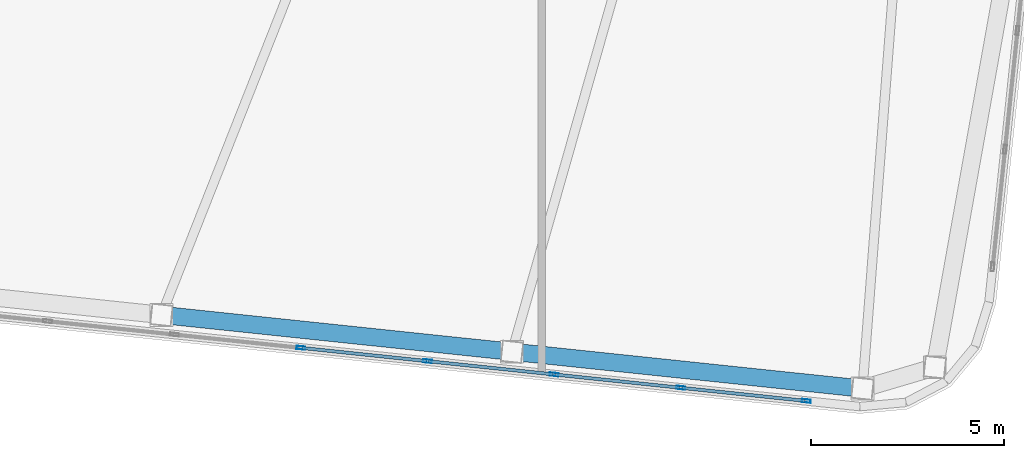
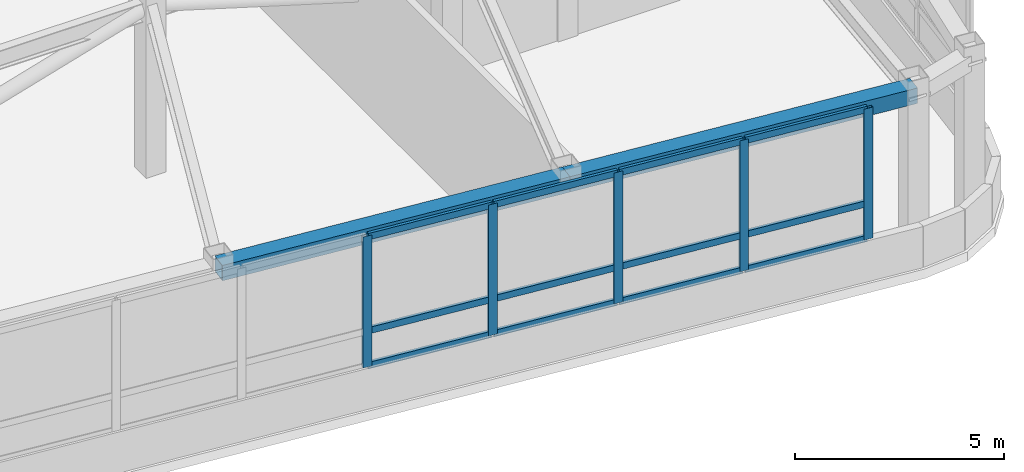
# One storey, part 9 of 23: 17 members, 2 beams, 1 element without a shape of its own.
"""IFC4 building model written with IfcOpenShell, lengths in metres."""

import ifcopenshell
import ifcopenshell.guid

model = None  # the IFC model being written
_history = None  # IfcOwnerHistory: only IFC2X3 demands one
_inside = {}  # id of a spatial element -> (the spatial element, [elements in it])
_under = {}  # id of a project, library or spatial element -> (it, [spatial elements below it])
_declared = {}  # id of a project -> (the project, [libraries it declares])
_typed = {}  # id of a type object -> (the type object, [elements of that type])
_made_of = {}  # id of a material, layer set ... -> (it, [elements and type objects made of it])


def new_model(schema):
    """Start an empty IFC model of exactly this schema.

    Asked for "IFC4X3", IfcOpenShell would pick the latest addendum, in which some entities
    have other attributes; the version numbers below select the first issue.
    IFC2X3 requires an IfcOwnerHistory on every rooted entity: one is made here for all.
    """
    global model, _history
    if schema == "IFC4X3":
        model = ifcopenshell.file(schema_version=(4, 3, 0, 0))
    else:
        model = ifcopenshell.file(schema=schema)
    _inside.clear()
    _under.clear()
    _declared.clear()
    _typed.clear()
    _made_of.clear()
    _history = None
    if model.schema == "IFC2X3":
        org = make("IfcOrganization", Name="unknown")
        user = make(
            "IfcPersonAndOrganization",
            ThePerson=make("IfcPerson", FamilyName="unknown"),
            TheOrganization=org,
        )
        app = make(
            "IfcApplication",
            ApplicationDeveloper=org,
            Version="unknown",
            ApplicationFullName="unknown",
            ApplicationIdentifier="unknown",
        )
        _history = make(
            "IfcOwnerHistory",
            OwningUser=user,
            OwningApplication=app,
            ChangeAction="ADDED",
            CreationDate=0,
        )
    return model


def make(cls, **values):
    """One entity of the class cls with the attributes given. An attribute that is None is left unset."""
    return model.create_entity(
        cls, **{name: value for name, value in values.items() if value is not None}
    )


def rooted(cls, **values):
    """An entity with a GlobalId (a new one), such as an element, a storey or a relation."""
    return make(cls, GlobalId=ifcopenshell.guid.new(), OwnerHistory=_history, **values)


def si_unit(unit_type, name, prefix=None):
    """IfcSIUnit, for example si_unit("LENGTHUNIT", "METRE", prefix="MILLI")."""
    return make("IfcSIUnit", UnitType=unit_type, Prefix=prefix, Name=name)


def assignment(units):
    """IfcUnitAssignment: the units of a project."""
    return None if units is None else make("IfcUnitAssignment", Units=units)


def point(xyz):
    """IfcCartesianPoint."""
    return None if xyz is None else make("IfcCartesianPoint", Coordinates=xyz)


def direction(xyz):
    """IfcDirection."""
    return None if xyz is None else make("IfcDirection", DirectionRatios=xyz)


def frame(location, z_axis=None, x_axis=None):
    """IfcAxis2Placement3D, a coordinate frame: its origin and axes. An axis left out is left unset."""
    return make(
        "IfcAxis2Placement3D",
        Location=point(location),
        Axis=direction(z_axis),
        RefDirection=direction(x_axis),
    )


def frame_2d(location, x_axis=None):
    """IfcAxis2Placement2D, a coordinate frame in the plane: its origin and x axis."""
    return make(
        "IfcAxis2Placement2D", Location=point(location), RefDirection=direction(x_axis)
    )


def origin():
    """The frame at (0, 0, 0) with its axes left unset."""
    return frame((0.0, 0.0, 0.0))


def origin_2d():
    """The frame at (0, 0) in the plane with its x axis left unset."""
    return frame_2d((0.0, 0.0))


def place(relative_to, where):
    """IfcLocalPlacement: puts the frame where relative to a parent placement (None: the world)."""
    return make(
        "IfcLocalPlacement", PlacementRelTo=relative_to, RelativePlacement=where
    )


def context(
    kind, dimensions, precision=None, world=None, true_north=None, identifier=None
):
    """IfcGeometricRepresentationContext, for example the 3D "Model" context."""
    return make(
        "IfcGeometricRepresentationContext",
        ContextIdentifier=identifier,
        ContextType=kind,
        CoordinateSpaceDimension=dimensions,
        Precision=precision,
        WorldCoordinateSystem=world,
        TrueNorth=true_north,
    )


def subcontext(parent, identifier, kind, view, scale=None):
    """IfcGeometricRepresentationSubContext, for example "Body" below "Model"."""
    return make(
        "IfcGeometricRepresentationSubContext",
        ContextIdentifier=identifier,
        ContextType=kind,
        ParentContext=parent,
        TargetScale=scale,
        TargetView=view,
    )


def project(units=None, contexts=None):
    """IfcProject with its units and contexts."""
    return rooted(
        "IfcProject",
        Name="project",
        RepresentationContexts=contexts,
        UnitsInContext=assignment(units),
    )


def spatial(cls, under=None, at=None, **own):
    """A site, building, storey or space (cls), placed at a placement, below another one or the project."""
    s = rooted(cls, ObjectPlacement=at, **own)
    if under is not None:
        _under.setdefault(under.id(), (under, []))[1].append(s)
    return s


def profile(cls, at=None, kind="AREA", **sizes):
    """A parametric profile (cls). Its sizes go by their IFC names, for example OverallWidth=200.0."""
    return make(cls, ProfileType=kind, Position=at, **sizes)


def hollow_rectangle(**sizes):
    """IfcRectangleHollowProfileDef."""
    return profile("IfcRectangleHollowProfileDef", **sizes)


def extrude(swept, where, along, depth):
    """IfcExtrudedAreaSolid: the profile swept, set in the frame where, extruded along a direction by depth."""
    return make(
        "IfcExtrudedAreaSolid",
        SweptArea=swept,
        Position=where,
        ExtrudedDirection=direction(along),
        Depth=depth,
    )


def shape(context_of_items, identifier, shape_type, items):
    """IfcShapeRepresentation: the items that make up one representation, for example the "Body"."""
    return make(
        "IfcShapeRepresentation",
        ContextOfItems=context_of_items,
        RepresentationIdentifier=identifier,
        RepresentationType=shape_type,
        Items=items,
    )


def material(Name=None, Category=None):
    """IfcMaterial."""
    return make("IfcMaterial", Name=Name, Category=Category)


def layer(
    of_material, thickness, ventilated=None, Name=None, Category=None, Priority=None
):
    """IfcMaterialLayer: one layer of a wall or slab, of a material (None: an air gap)."""
    return make(
        "IfcMaterialLayer",
        Material=of_material,
        LayerThickness=thickness,
        IsVentilated=ventilated,
        Name=Name,
        Category=Category,
        Priority=Priority,
    )


def layer_set(layers, Name=None):
    """IfcMaterialLayerSet."""
    return make("IfcMaterialLayerSet", MaterialLayers=layers, LayerSetName=Name)


def material_profile(
    of_material, cross_section, Name=None, Category=None, Priority=None
):
    """IfcMaterialProfile: a cross section and its material."""
    return make(
        "IfcMaterialProfile",
        Name=Name,
        Material=of_material,
        Profile=cross_section,
        Priority=Priority,
        Category=Category,
    )


def profile_set(profiles, Name=None, composite=None):
    """IfcMaterialProfileSet."""
    return make(
        "IfcMaterialProfileSet",
        Name=Name,
        MaterialProfiles=profiles,
        CompositeProfile=composite,
    )


def made_of(thing, what):
    """Note that an element or type object is made of a material, layer set ...; save() writes the relation."""
    if what is not None:
        _made_of.setdefault(what.id(), (what, []))[1].append(thing)
    return thing


def type_object(cls, material=None, **own):
    """A type object (cls), such as IfcWallType, which elements share."""
    return made_of(rooted(cls, **own), material)


def element(
    cls,
    number,
    at=None,
    inside=None,
    cuts=None,
    type_object=None,
    material=None,
    context=None,
    identifier="Body",
    shape_type=None,
    held_by="IfcProductDefinitionShape",
    body=None,
    shapes=None,
    **own,
):
    """One element of the class cls, such as IfcWall. Its Tag is "e" and its number.

    at: its placement. inside: the storey or other place that contains it. cuts: it is an
    opening in that element (IfcRelVoidsElement). A single representation is given by context,
    identifier, shape_type and body (its items); several are given by shapes. held_by: the class
    of the entity that holds the representations. save() writes the other relations.
    """
    e = rooted(cls, Tag="e%d" % number, ObjectPlacement=at, **own)
    if body is not None:
        shapes = [shape(context, identifier, shape_type, body)]
    if shapes is not None:
        e.Representation = make(held_by, Representations=shapes)
    if inside is not None:
        _inside.setdefault(inside.id(), (inside, []))[1].append(e)
    if cuts is not None:
        rooted(
            "IfcRelVoidsElement", RelatingBuildingElement=cuts, RelatedOpeningElement=e
        )
    if type_object is not None:
        _typed.setdefault(type_object.id(), (type_object, []))[1].append(e)
    return made_of(e, material)


def aggregate(whole, parts):
    """IfcRelAggregates: a whole, such as a stair, and the parts it consists of."""
    return rooted("IfcRelAggregates", RelatingObject=whole, RelatedObjects=parts)


def save(model, path):
    """Write the relations noted so far, then the file.

    IfcRelAggregates (storeys below a building ...), IfcRelContainedInSpatialStructure (elements
    in a storey), IfcRelDefinesByType, IfcRelAssociatesMaterial and IfcRelDeclares: one each for
    every whole, place, type object, material and project.
    """
    for whole, parts in _under.values():
        aggregate(whole, parts)
    for where, things in _inside.values():
        rooted(
            "IfcRelContainedInSpatialStructure",
            RelatedElements=things,
            RelatingStructure=where,
        )
    for kind, things in _typed.values():
        rooted("IfcRelDefinesByType", RelatedObjects=things, RelatingType=kind)
    for what, things in _made_of.values():
        rooted("IfcRelAssociatesMaterial", RelatedObjects=things, RelatingMaterial=what)
    for by, libraries in _declared.values():
        rooted("IfcRelDeclares", RelatingContext=by, RelatedDefinitions=libraries)
    model.write(path)


model = new_model("IFC4")

# Units and contexts
model_context = context("Model", 3, precision=1e-05, world=origin(), true_north=direction((0.0, 1.0)))
body_context = subcontext(model_context, "Body", "Model", "MODEL_VIEW")
ifc_project = project(units=[si_unit("LENGTHUNIT", "METRE"), si_unit("AREAUNIT", "SQUARE_METRE"), si_unit("VOLUMEUNIT", "CUBIC_METRE"), si_unit("PLANEANGLEUNIT", "RADIAN"), si_unit("MASSUNIT", "GRAM", prefix="KILO")], contexts=[model_context])

# Site, building, storey
site_placement = place(None, origin())
site = spatial("IfcSite", under=ifc_project, at=site_placement, CompositionType="ELEMENT")
building_placement = place(site_placement, origin())
building = spatial("IfcBuilding", under=site, at=building_placement, Name="Voryun Gate Residences", CompositionType="ELEMENT")
storey_placement = place(building_placement, frame((0.0, 0.0, 321.300048828125)))
storey = spatial("IfcBuildingStorey", under=building, at=storey_placement, Name="L79", CompositionType="ELEMENT", Elevation=321.300048828125)

# Beams
ifc_material_1 = material(Name="Steel SM355", Category="steel")
ifc_material_profile_1 = material_profile(ifc_material_1, hollow_rectangle(XDim=0.449951171875, YDim=0.449951171875, WallThickness=0.01806640625, at=origin_2d()), Name="BOX-450x450x18")
ifc_profile_set_1 = profile_set([ifc_material_profile_1], Name="Steel SM355")
beam_type = type_object("IfcBeamType", Name="BM_CROWN_RING", PredefinedType="BEAM", material=ifc_profile_set_1)
for number, where, z_axis, x_axis, name in (
    (1, (0.121337890625, -17.731689453125, 4.800048828125), (0.994523919568, -0.104509202498, 0.0), (0.104509202498, 0.994523919568, 0.0), "BM-L79-SPAND-04"),
    (2, (9.19140625, -18.684814453125, 4.800048828125), (0.994521136856, -0.104535679778, 0.0), (0.104535679778, 0.994521136856, 0.0), "BM-L79-SPAND-05"),
):
    element("IfcBeam", number, at=place(storey_placement, frame(where, z_axis=z_axis, x_axis=x_axis)), inside=storey, type_object=beam_type, Name=name, PredefinedType="BEAM", context=body_context, shape_type="SweptSolid", body=[
        extrude(hollow_rectangle(XDim=0.449951171875, YDim=0.449951171875, WallThickness=0.01806640625, at=origin_2d()), origin(), (0.0, 0.0, 1.0), 9.1201171875),
    ])

# Curtain wall, members
ifc_material_2 = material(Name="Anodised aluminium", Category="aluminium")
ifc_layer = layer(ifc_material_2, 0.22998046875, Name="CW_SYS_LANTERN_DARK_GLASS")
ifc_layer_set = layer_set([ifc_layer], Name="Anodised aluminium")
curtain_wall_type = type_object("IfcCurtainWallType", Name="CW_SYS_LANTERN_DARK_GLASS", PredefinedType="NOTDEFINED", material=ifc_layer_set)
curtain_wall_placement = place(storey_placement, origin())
curtain_wall = element("IfcCurtainWall", 3, at=curtain_wall_placement, inside=storey, type_object=curtain_wall_type, Name="Curtain wall CW6-L79-01", PredefinedType="NOTDEFINED")
ifc_material_3 = material(Name="Anodised aluminium", Category="aluminium")
ifc_material_profile_2 = material_profile(ifc_material_3, hollow_rectangle(XDim=0.0849609375, YDim=0.22998046875, WallThickness=0.006103515625, at=origin_2d()), Name="ALU-MULL-230x85x6")
ifc_profile_set_2 = profile_set([ifc_material_profile_2], Name="Anodised aluminium")
member_type_1 = type_object("IfcMemberType", Name="CW_MULL_LANT", PredefinedType="MULLION", material=ifc_profile_set_2)
member_1_placement = place(storey_placement, frame((16.8056640625, -19.957763671875, 1.18994140625), z_axis=(0.0, 0.0, 1.0), x_axis=(-0.10452775858, -0.994521969434, 0.0)))
member_1 = element("IfcMember", 4, at=member_1_placement, type_object=member_type_1, Name="CW6 mullion 1", PredefinedType="MULLION", context=body_context, shape_type="SweptSolid", body=[
    extrude(hollow_rectangle(XDim=0.0849609375, YDim=0.22998046875, WallThickness=0.006103515625, at=origin_2d()), origin(), (0.0, 0.0, 1.0), 3.8349609375),
])
member_2_placement = place(storey_placement, frame((13.558837890625, -19.616455078125, 1.18994140625), z_axis=(0.0, 0.0, 1.0), x_axis=(-0.10452775858, -0.994521969434, 0.0)))
member_2 = element("IfcMember", 5, at=member_2_placement, type_object=member_type_1, Name="CW6 mullion 2", PredefinedType="MULLION", context=body_context, shape_type="SweptSolid", body=[
    extrude(hollow_rectangle(XDim=0.0849609375, YDim=0.22998046875, WallThickness=0.006103515625, at=origin_2d()), origin(), (0.0, 0.0, 1.0), 3.8349609375),
])
member_3_placement = place(storey_placement, frame((10.2822265625, -19.272216796875, 1.18994140625), z_axis=(0.0, 0.0, 1.0), x_axis=(-0.10452775858, -0.994521969434, 0.0)))
member_3 = element("IfcMember", 6, at=member_3_placement, type_object=member_type_1, Name="CW6 mullion 3", PredefinedType="MULLION", context=body_context, shape_type="SweptSolid", body=[
    extrude(hollow_rectangle(XDim=0.0849609375, YDim=0.22998046875, WallThickness=0.006103515625, at=origin_2d()), origin(), (0.0, 0.0, 1.0), 3.8349609375),
])
member_4_placement = place(storey_placement, frame((7.005615234375, -18.927734375, 1.18994140625), z_axis=(0.0, 0.0, 1.0), x_axis=(-0.10452775858, -0.994521969434, 0.0)))
member_4 = element("IfcMember", 7, at=member_4_placement, type_object=member_type_1, Name="CW6 mullion 4", PredefinedType="MULLION", context=body_context, shape_type="SweptSolid", body=[
    extrude(hollow_rectangle(XDim=0.0849609375, YDim=0.22998046875, WallThickness=0.006103515625, at=origin_2d()), origin(), (0.0, 0.0, 1.0), 3.8349609375),
])
member_5_placement = place(storey_placement, frame((3.72900390625, -18.583251953125, 1.18994140625), z_axis=(0.0, 0.0, 1.0), x_axis=(-0.10452775858, -0.994521969434, 0.0)))
member_5 = element("IfcMember", 8, at=member_5_placement, type_object=member_type_1, Name="CW6 mullion 5", PredefinedType="MULLION", context=body_context, shape_type="SweptSolid", body=[
    extrude(hollow_rectangle(XDim=0.0849609375, YDim=0.22998046875, WallThickness=0.006103515625, at=origin_2d()), origin(), (0.0, 0.0, 1.0), 3.8349609375),
])
ifc_material_4 = material(Name="Anodised aluminium", Category="aluminium")
ifc_material_profile_3 = material_profile(ifc_material_4, hollow_rectangle(XDim=0.0849609375, YDim=0.18994140625, WallThickness=0.006103515625, at=origin_2d()), Name="ALU-TRAN-190x85x6")
ifc_profile_set_3 = profile_set([ifc_material_profile_3], Name="Anodised aluminium")
member_type_2 = type_object("IfcMemberType", Name="CW_TRAN_LANT", PredefinedType="USERDEFINED", material=ifc_profile_set_3)
member_6_placement = place(storey_placement, frame((16.775634765625, -19.95458984375, 1.219970703125), z_axis=(-0.994522138405, 0.104526150903, 0.0), x_axis=(-0.104526150903, -0.994522138405, 0.0)))
member_6 = element("IfcMember", 9, at=member_6_placement, type_object=member_type_2, Name="CW6 transom 1.1", ObjectType="TRANSOM", PredefinedType="USERDEFINED", context=body_context, shape_type="SweptSolid", body=[
    extrude(hollow_rectangle(XDim=0.0849609375, YDim=0.18994140625, WallThickness=0.006103515625, at=origin_2d()), origin(), (0.0, 0.0, 1.0), 3.20458984375),
])
member_7_placement = place(storey_placement, frame((16.775634765625, -19.95458984375, 2.239990234375), z_axis=(-0.994522138405, 0.104526150903, 0.0), x_axis=(-0.104526150903, -0.994522138405, 0.0)))
member_7 = element("IfcMember", 10, at=member_7_placement, type_object=member_type_2, Name="CW6 transom 1.2", ObjectType="TRANSOM", PredefinedType="USERDEFINED", context=body_context, shape_type="SweptSolid", body=[
    extrude(hollow_rectangle(XDim=0.0849609375, YDim=0.18994140625, WallThickness=0.006103515625, at=origin_2d()), origin(), (0.0, 0.0, 1.0), 3.20458984375),
])
member_8_placement = place(storey_placement, frame((16.775634765625, -19.95458984375, 4.994873046875), z_axis=(-0.994522138405, 0.104526150903, 0.0), x_axis=(-0.104526150903, -0.994522138405, 0.0)))
member_8 = element("IfcMember", 11, at=member_8_placement, type_object=member_type_2, Name="CW6 transom 1.3", ObjectType="TRANSOM", PredefinedType="USERDEFINED", context=body_context, shape_type="SweptSolid", body=[
    extrude(hollow_rectangle(XDim=0.0849609375, YDim=0.18994140625, WallThickness=0.006103515625, at=origin_2d()), origin(), (0.0, 0.0, 1.0), 3.20458984375),
])
member_9_placement = place(storey_placement, frame((13.529052734375, -19.61328125, 1.219970703125), z_axis=(-0.994521569819, 0.104531560613, 0.0), x_axis=(-0.104531560613, -0.994521569819, 0.0)))
member_9 = element("IfcMember", 12, at=member_9_placement, type_object=member_type_2, Name="CW6 transom 2.1", ObjectType="TRANSOM", PredefinedType="USERDEFINED", context=body_context, shape_type="SweptSolid", body=[
    extrude(hollow_rectangle(XDim=0.0849609375, YDim=0.18994140625, WallThickness=0.006103515625, at=origin_2d()), origin(), (0.0, 0.0, 1.0), 3.23486328125),
])
member_10_placement = place(storey_placement, frame((13.529052734375, -19.61328125, 2.239990234375), z_axis=(-0.994521569819, 0.104531560613, 0.0), x_axis=(-0.104531560613, -0.994521569819, 0.0)))
member_10 = element("IfcMember", 13, at=member_10_placement, type_object=member_type_2, Name="CW6 transom 2.2", ObjectType="TRANSOM", PredefinedType="USERDEFINED", context=body_context, shape_type="SweptSolid", body=[
    extrude(hollow_rectangle(XDim=0.0849609375, YDim=0.18994140625, WallThickness=0.006103515625, at=origin_2d()), origin(), (0.0, 0.0, 1.0), 3.23486328125),
])
member_11_placement = place(storey_placement, frame((13.529052734375, -19.61328125, 4.994873046875), z_axis=(-0.994521569819, 0.104531560613, 0.0), x_axis=(-0.104531560613, -0.994521569819, 0.0)))
member_11 = element("IfcMember", 14, at=member_11_placement, type_object=member_type_2, Name="CW6 transom 2.3", ObjectType="TRANSOM", PredefinedType="USERDEFINED", context=body_context, shape_type="SweptSolid", body=[
    extrude(hollow_rectangle(XDim=0.0849609375, YDim=0.18994140625, WallThickness=0.006103515625, at=origin_2d()), origin(), (0.0, 0.0, 1.0), 3.23486328125),
])
member_12_placement = place(storey_placement, frame((10.252197265625, -19.26904296875, 1.219970703125), z_axis=(-0.994520745033, 0.104539407398, 0.0), x_axis=(-0.104539407398, -0.994520745033, 0.0)))
member_12 = element("IfcMember", 15, at=member_12_placement, type_object=member_type_2, Name="CW6 transom 3.1", ObjectType="TRANSOM", PredefinedType="USERDEFINED", context=body_context, shape_type="SweptSolid", body=[
    extrude(hollow_rectangle(XDim=0.0849609375, YDim=0.18994140625, WallThickness=0.006103515625, at=origin_2d()), origin(), (0.0, 0.0, 1.0), 3.234619140625),
])
member_13_placement = place(storey_placement, frame((10.252197265625, -19.26904296875, 2.239990234375), z_axis=(-0.994520745033, 0.104539407398, 0.0), x_axis=(-0.104539407398, -0.994520745033, 0.0)))
member_13 = element("IfcMember", 16, at=member_13_placement, type_object=member_type_2, Name="CW6 transom 3.2", ObjectType="TRANSOM", PredefinedType="USERDEFINED", context=body_context, shape_type="SweptSolid", body=[
    extrude(hollow_rectangle(XDim=0.0849609375, YDim=0.18994140625, WallThickness=0.006103515625, at=origin_2d()), origin(), (0.0, 0.0, 1.0), 3.234619140625),
])
member_14_placement = place(storey_placement, frame((10.252197265625, -19.26904296875, 4.994873046875), z_axis=(-0.994520745033, 0.104539407398, 0.0), x_axis=(-0.104539407398, -0.994520745033, 0.0)))
member_14 = element("IfcMember", 17, at=member_14_placement, type_object=member_type_2, Name="CW6 transom 3.3", ObjectType="TRANSOM", PredefinedType="USERDEFINED", context=body_context, shape_type="SweptSolid", body=[
    extrude(hollow_rectangle(XDim=0.0849609375, YDim=0.18994140625, WallThickness=0.006103515625, at=origin_2d()), origin(), (0.0, 0.0, 1.0), 3.234619140625),
])
member_15_placement = place(storey_placement, frame((6.9755859375, -18.924560546875, 1.219970703125), z_axis=(-0.994520745033, 0.104539407398, 0.0), x_axis=(-0.104539407398, -0.994520745033, 0.0)))
member_15 = element("IfcMember", 18, at=member_15_placement, type_object=member_type_2, Name="CW6 transom 4.1", ObjectType="TRANSOM", PredefinedType="USERDEFINED", context=body_context, shape_type="SweptSolid", body=[
    extrude(hollow_rectangle(XDim=0.0849609375, YDim=0.18994140625, WallThickness=0.006103515625, at=origin_2d()), origin(), (0.0, 0.0, 1.0), 3.234619140625),
])
member_16_placement = place(storey_placement, frame((6.9755859375, -18.924560546875, 2.239990234375), z_axis=(-0.994520745033, 0.104539407398, 0.0), x_axis=(-0.104539407398, -0.994520745033, 0.0)))
member_16 = element("IfcMember", 19, at=member_16_placement, type_object=member_type_2, Name="CW6 transom 4.2", ObjectType="TRANSOM", PredefinedType="USERDEFINED", context=body_context, shape_type="SweptSolid", body=[
    extrude(hollow_rectangle(XDim=0.0849609375, YDim=0.18994140625, WallThickness=0.006103515625, at=origin_2d()), origin(), (0.0, 0.0, 1.0), 3.234619140625),
])
member_17_placement = place(storey_placement, frame((6.9755859375, -18.924560546875, 4.994873046875), z_axis=(-0.994520745033, 0.104539407398, 0.0), x_axis=(-0.104539407398, -0.994520745033, 0.0)))
member_17 = element("IfcMember", 20, at=member_17_placement, type_object=member_type_2, Name="CW6 transom 4.3", ObjectType="TRANSOM", PredefinedType="USERDEFINED", context=body_context, shape_type="SweptSolid", body=[
    extrude(hollow_rectangle(XDim=0.0849609375, YDim=0.18994140625, WallThickness=0.006103515625, at=origin_2d()), origin(), (0.0, 0.0, 1.0), 3.234619140625),
])
aggregate(curtain_wall, [member_1, member_2, member_3, member_4, member_5, member_6, member_7, member_8, member_9, member_10, member_11, member_12, member_13, member_14, member_15, member_16, member_17])

save(model, "model.ifc")
